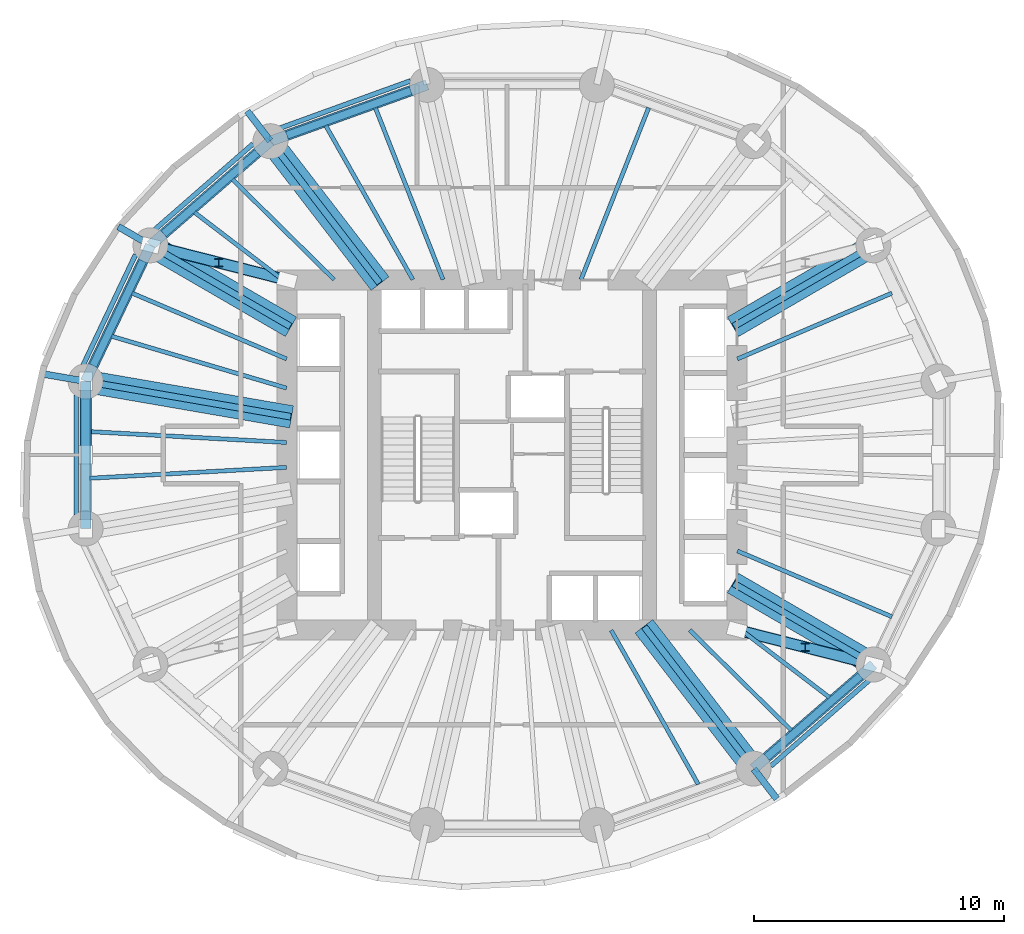
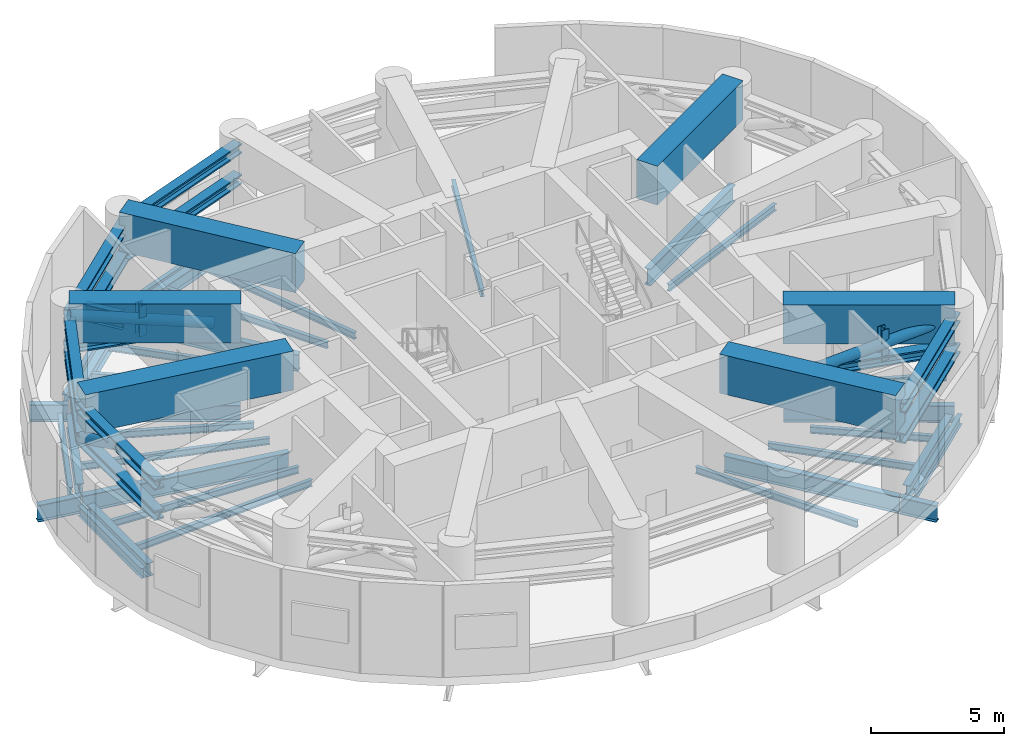
# One storey, part 2 of 8: 40 beams, 17 members.
"""IFC4 building model written with IfcOpenShell, lengths in metres."""

from ifc_helpers import new_model, si_unit, direction, frame, origin, origin_2d, place, context, subcontext, project, spatial, rectangle, hollow_circle, i_section, extrude, material, material_profile, profile_set, type_object, element, save


model = new_model("IFC4")

# Units and contexts
model_context = context("Model", 3, precision=1e-05, world=origin(), true_north=direction((0.0, 1.0)))
body_context = subcontext(model_context, "Body", "Model", "MODEL_VIEW")
ifc_project = project(units=[si_unit("LENGTHUNIT", "METRE"), si_unit("AREAUNIT", "SQUARE_METRE"), si_unit("VOLUMEUNIT", "CUBIC_METRE"), si_unit("PLANEANGLEUNIT", "RADIAN"), si_unit("MASSUNIT", "GRAM", prefix="KILO")], contexts=[model_context])

# Site, building, storey
site_placement = place(None, origin())
site = spatial("IfcSite", under=ifc_project, at=site_placement, CompositionType="ELEMENT")
building_placement = place(site_placement, origin())
building = spatial("IfcBuilding", under=site, at=building_placement, Name="Veldorim Arch Residences", CompositionType="ELEMENT")
storey_placement = place(building_placement, frame((0.0, 0.0, 66.39990234375)))
storey = spatial("IfcBuildingStorey", under=building, at=storey_placement, Name="L19", CompositionType="ELEMENT", Elevation=66.39990234375)

# Members
ifc_material_1 = material(Name="Steel S460", Category="steel")
ifc_material_profile_1 = material_profile(ifc_material_1, hollow_circle(Radius=0.228515625, WallThickness=0.030029296875, at=origin_2d()), Name="CHS457x30")
ifc_profile_set_1 = profile_set([ifc_material_profile_1], Name="Steel S460")
member_type_1 = type_object("IfcMemberType", Name="Crown Diagrid CHS457x30", PredefinedType="BRACE", material=ifc_profile_set_1)
member_placement = place(storey_placement, frame((14.934326171875, 26.94580078125, 2.239990234375), z_axis=(0.0, -0.900784326413, 0.434266735185), x_axis=(1.0, 0.0, 0.0)))
element("IfcMember", 1, at=member_placement, inside=storey, type_object=member_type_1, Name="L19 belt truss chevron brace 08A", PredefinedType="BRACE", context=body_context, shape_type="SweptSolid", body=[
    extrude(hollow_circle(Radius=0.228515625, WallThickness=0.030029296875, at=origin_2d()), origin(), (0.0, 0.0, 1.0), 3.270263671875),
])
for number, where, z_axis, x_axis, name in (
    (2, (41.0, 17.0, 2.239990234375), (0.939880508049, -0.238799736138, 0.244129712673), (0.246250643777, 0.969206180562, 0.0), "L19 outrigger truss diagonal 01"),
    (3, (23.0, 31.0, 2.239990234375), (-0.939880508049, 0.238799736138, 0.244129712673), (-0.246250643777, -0.969206180562, 0.0), "L19 outrigger truss diagonal 03"),
):
    element("IfcMember", number, at=place(storey_placement, frame(where, z_axis=z_axis, x_axis=x_axis)), inside=storey, type_object=member_type_1, Name=name, PredefinedType="BRACE", context=body_context, shape_type="SweptSolid", body=[
        extrude(hollow_circle(Radius=0.228515625, WallThickness=0.030029296875, at=origin_2d()), origin(), (0.0, 0.0, 1.0), 5.817138671875),
    ])

# Beams
ifc_material_2 = material(Name="Concrete C50/60", Category="concrete")
ifc_material_profile_2 = material_profile(ifc_material_2, rectangle(XDim=0.89990234375, YDim=1.800048828125, at=origin_2d()), Name="RC_RECT_900x1800")
ifc_profile_set_2 = profile_set([ifc_material_profile_2], Name="Concrete C50/60")
beam_type_1 = type_object("IfcBeamType", Name="Reinforced Concrete TRANSFER GIRDER RC_RECT_900x1800", PredefinedType="USERDEFINED", material=ifc_profile_set_2)
beam_1_placement = place(storey_placement, frame((40.84423828125, 29.12841796875, 3.580078125), z_axis=(0.865082368042, 0.501629840124, 0.0), x_axis=(-0.501629840124, 0.865082368042, 0.0)))
element("IfcBeam", 4, at=beam_1_placement, inside=storey, type_object=beam_type_1, Name="L19 zone-setback radial transfer girder 02", ObjectType="TRANSFER GIRDER", PredefinedType="USERDEFINED", context=body_context, shape_type="SweptSolid", body=[
    extrude(rectangle(XDim=0.89990234375, YDim=1.800048828125, at=origin_2d()), origin(), (0.0, 0.0, 1.0), 6.500244140625),
])
beam_2_placement = place(storey_placement, frame((26.72021484375, 30.857421875, 3.580078125), z_axis=(-0.610088058259, 0.792333617342, 0.0), x_axis=(-0.792333617342, -0.610088058259, 0.0)))
element("IfcBeam", 5, at=beam_2_placement, inside=storey, type_object=beam_type_1, Name="L19 zone-setback radial transfer girder 06", ObjectType="TRANSFER GIRDER", PredefinedType="USERDEFINED", context=body_context, shape_type="SweptSolid", body=[
    extrude(rectangle(XDim=0.89990234375, YDim=1.800048828125, at=origin_2d()), origin(), (0.0, 0.0, 1.0), 7.191162109375),
])
beam_3_placement = place(storey_placement, frame((23.15576171875, 29.12841796875, 3.580078125), z_axis=(-0.865082368042, 0.501629840124, 0.0), x_axis=(-0.501629840124, -0.865082368042, 0.0)))
element("IfcBeam", 6, at=beam_3_placement, inside=storey, type_object=beam_type_1, Name="L19 zone-setback radial transfer girder 07", ObjectType="TRANSFER GIRDER", PredefinedType="USERDEFINED", context=body_context, shape_type="SweptSolid", body=[
    extrude(rectangle(XDim=0.89990234375, YDim=1.800048828125, at=origin_2d()), origin(), (0.0, 0.0, 1.0), 6.500244140625),
])
beam_4_placement = place(storey_placement, frame((23.177490234375, 25.52294921875, 3.580078125), z_axis=(-0.985427744157, 0.170094565009, 0.0), x_axis=(-0.170094565009, -0.985427744157, 0.0)))
element("IfcBeam", 7, at=beam_4_placement, inside=storey, type_object=beam_type_1, Name="L19 zone-setback radial transfer girder 08", ObjectType="TRANSFER GIRDER", PredefinedType="USERDEFINED", context=body_context, shape_type="SweptSolid", body=[
    extrude(rectangle(XDim=0.89990234375, YDim=1.800048828125, at=origin_2d()), origin(), (0.0, 0.0, 1.0), 8.364990234375),
])
beam_5_placement = place(storey_placement, frame((37.27978515625, 17.142578125, 3.580078125), z_axis=(0.610088058259, -0.792333617342, 0.0), x_axis=(0.792333617342, 0.610088058259, 0.0)))
element("IfcBeam", 8, at=beam_5_placement, inside=storey, type_object=beam_type_1, Name="L19 zone-setback radial transfer girder 14", ObjectType="TRANSFER GIRDER", PredefinedType="USERDEFINED", context=body_context, shape_type="SweptSolid", body=[
    extrude(rectangle(XDim=0.89990234375, YDim=1.800048828125, at=origin_2d()), origin(), (0.0, 0.0, 1.0), 7.191162109375),
])
beam_6_placement = place(storey_placement, frame((40.84423828125, 18.87158203125, 3.580078125), z_axis=(0.865082368042, -0.501629840124, 0.0), x_axis=(0.501629840124, 0.865082368042, 0.0)))
element("IfcBeam", 9, at=beam_6_placement, inside=storey, type_object=beam_type_1, Name="L19 zone-setback radial transfer girder 15", ObjectType="TRANSFER GIRDER", PredefinedType="USERDEFINED", context=body_context, shape_type="SweptSolid", body=[
    extrude(rectangle(XDim=0.89990234375, YDim=1.800048828125, at=origin_2d()), origin(), (0.0, 0.0, 1.0), 6.500244140625),
])
ifc_material_3 = material(Name="Steel S355", Category="steel")
ifc_material_profile_3 = material_profile(ifc_material_3, i_section(OverallWidth=0.30712890625, OverallDepth=0.6201171875, WebThickness=0.01416015625, FlangeThickness=0.023681640625, at=origin_2d()), Name="UB610x305x179")
ifc_profile_set_3 = profile_set([ifc_material_profile_3], Name="Steel S355")
beam_type_2 = type_object("IfcBeamType", Name="Structural Steel Beam UB610x305x179", PredefinedType="BEAM", material=ifc_profile_set_3)
beam_7_placement = place(storey_placement, frame((27.94677734375, 38.572998046875, -0.7099609375), z_axis=(-0.941058113369, -0.338244922006, 0.0), x_axis=(0.338244922006, -0.941058113369, 0.0)))
element("IfcBeam", 10, at=beam_7_placement, inside=storey, type_object=beam_type_2, Name="L19 perimeter ring tie beam 05", PredefinedType="BEAM", context=body_context, shape_type="SweptSolid", body=[
    extrude(i_section(OverallWidth=0.30712890625, OverallDepth=0.6201171875, WebThickness=0.01416015625, FlangeThickness=0.023681640625, at=origin_2d()), origin(), (0.0, 0.0, 1.0), 5.265380859375),
])
beam_8_placement = place(storey_placement, frame((21.804443359375, 36.096435546875, -0.7099609375), z_axis=(-0.755264734985, -0.655419850239, 0.0), x_axis=(0.655419850239, -0.755264734985, 0.0)))
element("IfcBeam", 11, at=beam_8_placement, inside=storey, type_object=beam_type_2, Name="L19 perimeter ring tie beam 06", PredefinedType="BEAM", context=body_context, shape_type="SweptSolid", body=[
    extrude(i_section(OverallWidth=0.30712890625, OverallDepth=0.6201171875, WebThickness=0.01416015625, FlangeThickness=0.023681640625, at=origin_2d()), origin(), (0.0, 0.0, 1.0), 4.956298828125),
])
beam_9_placement = place(storey_placement, frame((17.23095703125, 31.75732421875, -0.7099609375), z_axis=(-0.430776422552, -0.902458682585, 0.0), x_axis=(0.902458682585, -0.430776422552, 0.0)))
element("IfcBeam", 12, at=beam_9_placement, inside=storey, type_object=beam_type_2, Name="L19 perimeter ring tie beam 07", PredefinedType="BEAM", context=body_context, shape_type="SweptSolid", body=[
    extrude(i_section(OverallWidth=0.30712890625, OverallDepth=0.6201171875, WebThickness=0.01416015625, FlangeThickness=0.023681640625, at=origin_2d()), origin(), (0.0, 0.0, 1.0), 4.63134765625),
])
beam_10_placement = place(storey_placement, frame((14.934326171875, 26.245849609375, -0.7099609375), z_axis=(0.0, -1.0, 0.0), x_axis=(1.0, 0.0, 0.0)))
element("IfcBeam", 13, at=beam_10_placement, inside=storey, type_object=beam_type_2, Name="L19 perimeter ring tie beam 08", PredefinedType="BEAM", context=body_context, shape_type="SweptSolid", body=[
    extrude(i_section(OverallWidth=0.30712890625, OverallDepth=0.6201171875, WebThickness=0.01416015625, FlangeThickness=0.023681640625, at=origin_2d()), origin(), (0.0, 0.0, 1.0), 4.49169921875),
])
beam_11_placement = place(storey_placement, frame((42.195556640625, 11.903564453125, -0.7099609375), z_axis=(0.755264734985, 0.655419850239, 0.0), x_axis=(-0.655419850239, 0.755264734985, 0.0)))
element("IfcBeam", 14, at=beam_11_placement, inside=storey, type_object=beam_type_2, Name="L19 perimeter ring tie beam 14", PredefinedType="BEAM", context=body_context, shape_type="SweptSolid", body=[
    extrude(i_section(OverallWidth=0.30712890625, OverallDepth=0.6201171875, WebThickness=0.01416015625, FlangeThickness=0.023681640625, at=origin_2d()), origin(), (0.0, 0.0, 1.0), 4.956298828125),
])
ifc_material_4 = material(Name="Steel S355", Category="steel")
ifc_material_profile_4 = material_profile(ifc_material_4, i_section(OverallWidth=0.26806640625, OverallDepth=0.769775390625, WebThickness=0.015625, FlangeThickness=0.025390625, at=origin_2d()), Name="UB762x267x197")
ifc_profile_set_4 = profile_set([ifc_material_profile_4], Name="Steel S355")
beam_type_3 = type_object("IfcBeamType", Name="Structural Steel GIRDER UB762x267x197", PredefinedType="USERDEFINED", material=ifc_profile_set_4)
beam_12_placement = place(storey_placement, frame((40.8701171875, 29.1435546875, -0.784912109375), z_axis=(0.865088348752, 0.501619525989, 0.0), x_axis=(-0.501619525989, 0.865088348752, 0.0)))
element("IfcBeam", 15, at=beam_12_placement, inside=storey, type_object=beam_type_3, Name="L19 radial floor girder 02", ObjectType="GIRDER", PredefinedType="USERDEFINED", context=body_context, shape_type="SweptSolid", body=[
    extrude(i_section(OverallWidth=0.26806640625, OverallDepth=0.769775390625, WebThickness=0.015625, FlangeThickness=0.025390625, at=origin_2d()), origin(), (0.0, 0.0, 1.0), 6.4501953125),
])
beam_13_placement = place(storey_placement, frame((26.701904296875, 30.881103515625, -0.784912109375), z_axis=(-0.610082439157, 0.792337943956, 0.0), x_axis=(-0.792337943956, -0.610082439157, 0.0)))
element("IfcBeam", 16, at=beam_13_placement, inside=storey, type_object=beam_type_3, Name="L19 radial floor girder 06", ObjectType="GIRDER", PredefinedType="USERDEFINED", context=body_context, shape_type="SweptSolid", body=[
    extrude(i_section(OverallWidth=0.26806640625, OverallDepth=0.769775390625, WebThickness=0.015625, FlangeThickness=0.025390625, at=origin_2d()), origin(), (0.0, 0.0, 1.0), 7.14111328125),
])
beam_14_placement = place(storey_placement, frame((22.32080078125, 36.571044921875, -0.784912109375), z_axis=(-0.610024337909, 0.79238267722, 0.0), x_axis=(-0.79238267722, -0.610024337909, 0.0)))
element("IfcBeam", 17, at=beam_14_placement, inside=storey, type_object=beam_type_3, Name="L19 radial edge cantilever girder 06", ObjectType="GIRDER", PredefinedType="USERDEFINED", context=body_context, shape_type="SweptSolid", body=[
    extrude(i_section(OverallWidth=0.26806640625, OverallDepth=0.769775390625, WebThickness=0.015625, FlangeThickness=0.025390625, at=origin_2d()), origin(), (0.0, 0.0, 1.0), 1.5048828125),
])
beam_15_placement = place(storey_placement, frame((23.1298828125, 29.1435546875, -0.784912109375), z_axis=(-0.865088348752, 0.501619525989, 0.0), x_axis=(-0.501619525989, -0.865088348752, 0.0)))
element("IfcBeam", 18, at=beam_15_placement, inside=storey, type_object=beam_type_3, Name="L19 radial floor girder 07", ObjectType="GIRDER", PredefinedType="USERDEFINED", context=body_context, shape_type="SweptSolid", body=[
    extrude(i_section(OverallWidth=0.26806640625, OverallDepth=0.769775390625, WebThickness=0.015625, FlangeThickness=0.025390625, at=origin_2d()), origin(), (0.0, 0.0, 1.0), 6.4501953125),
])
beam_16_placement = place(storey_placement, frame((17.51513671875, 32.399169921875, -0.784912109375), z_axis=(-0.865077323252, 0.501638539981, 0.0), x_axis=(-0.501638539981, -0.865077323252, 0.0)))
element("IfcBeam", 19, at=beam_16_placement, inside=storey, type_object=beam_type_3, Name="L19 radial edge cantilever girder 07", ObjectType="GIRDER", PredefinedType="USERDEFINED", context=body_context, shape_type="SweptSolid", body=[
    extrude(i_section(OverallWidth=0.26806640625, OverallDepth=0.769775390625, WebThickness=0.015625, FlangeThickness=0.025390625, at=origin_2d()), origin(), (0.0, 0.0, 1.0), 1.4697265625),
])
beam_17_placement = place(storey_placement, frame((23.147705078125, 25.528076171875, -0.784912109375), z_axis=(-0.985427548249, 0.170095699979, 0.0), x_axis=(-0.170095699979, -0.985427548249, 0.0)))
element("IfcBeam", 20, at=beam_17_placement, inside=storey, type_object=beam_type_3, Name="L19 radial floor girder 08", ObjectType="GIRDER", PredefinedType="USERDEFINED", context=body_context, shape_type="SweptSolid", body=[
    extrude(i_section(OverallWidth=0.26806640625, OverallDepth=0.769775390625, WebThickness=0.015625, FlangeThickness=0.025390625, at=origin_2d()), origin(), (0.0, 0.0, 1.0), 8.314697265625),
])
beam_18_placement = place(storey_placement, frame((14.91455078125, 26.94921875, -0.784912109375), z_axis=(-0.985430392323, 0.170079222384, 0.0), x_axis=(-0.170079222384, -0.985430392323, 0.0)))
element("IfcBeam", 21, at=beam_18_placement, inside=storey, type_object=beam_type_3, Name="L19 radial edge cantilever girder 08", ObjectType="GIRDER", PredefinedType="USERDEFINED", context=body_context, shape_type="SweptSolid", body=[
    extrude(i_section(OverallWidth=0.26806640625, OverallDepth=0.769775390625, WebThickness=0.015625, FlangeThickness=0.025390625, at=origin_2d()), origin(), (0.0, 0.0, 1.0), 1.755615234375),
])
beam_19_placement = place(storey_placement, frame((37.298095703125, 17.118896484375, -0.784912109375), z_axis=(0.610082439157, -0.792337943956, 0.0), x_axis=(0.792337943956, 0.610082439157, 0.0)))
element("IfcBeam", 22, at=beam_19_placement, inside=storey, type_object=beam_type_3, Name="L19 radial floor girder 14", ObjectType="GIRDER", PredefinedType="USERDEFINED", context=body_context, shape_type="SweptSolid", body=[
    extrude(i_section(OverallWidth=0.26806640625, OverallDepth=0.769775390625, WebThickness=0.015625, FlangeThickness=0.025390625, at=origin_2d()), origin(), (0.0, 0.0, 1.0), 7.14111328125),
])
beam_20_placement = place(storey_placement, frame((41.67919921875, 11.428955078125, -0.784912109375), z_axis=(0.610024337909, -0.79238267722, 0.0), x_axis=(0.79238267722, 0.610024337909, 0.0)))
element("IfcBeam", 23, at=beam_20_placement, inside=storey, type_object=beam_type_3, Name="L19 radial edge cantilever girder 14", ObjectType="GIRDER", PredefinedType="USERDEFINED", context=body_context, shape_type="SweptSolid", body=[
    extrude(i_section(OverallWidth=0.26806640625, OverallDepth=0.769775390625, WebThickness=0.015625, FlangeThickness=0.025390625, at=origin_2d()), origin(), (0.0, 0.0, 1.0), 1.5048828125),
])
beam_21_placement = place(storey_placement, frame((40.8701171875, 18.8564453125, -0.784912109375), z_axis=(0.865088348752, -0.501619525989, 0.0), x_axis=(0.501619525989, 0.865088348752, 0.0)))
element("IfcBeam", 24, at=beam_21_placement, inside=storey, type_object=beam_type_3, Name="L19 radial floor girder 15", ObjectType="GIRDER", PredefinedType="USERDEFINED", context=body_context, shape_type="SweptSolid", body=[
    extrude(i_section(OverallWidth=0.26806640625, OverallDepth=0.769775390625, WebThickness=0.015625, FlangeThickness=0.025390625, at=origin_2d()), origin(), (0.0, 0.0, 1.0), 6.4501953125),
])
ifc_material_5 = material(Name="Steel S355", Category="steel")
ifc_material_profile_5 = material_profile(ifc_material_5, i_section(OverallWidth=0.165771484375, OverallDepth=0.306640625, WebThickness=0.006591796875, FlangeThickness=0.01171875, at=origin_2d()), Name="UB305x165x46")
ifc_profile_set_5 = profile_set([ifc_material_profile_5], Name="Steel S355")
beam_type_4 = type_object("IfcBeamType", Name="Structural Steel Joist UB305x165x46", PredefinedType="JOIST", material=ifc_profile_set_5)
beam_22_placement = place(storey_placement, frame((41.018310546875, 27.84130859375, -0.55322265625), z_axis=(0.920032948668, 0.391841005213, 0.0), x_axis=(-0.391841005213, 0.920032948668, 0.0)))
element("IfcBeam", 25, at=beam_22_placement, inside=storey, type_object=beam_type_4, Name="L19 secondary radial floor joist 01-2", PredefinedType="JOIST", context=body_context, shape_type="SweptSolid", body=[
    extrude(i_section(OverallWidth=0.165771484375, OverallDepth=0.306640625, WebThickness=0.006591796875, FlangeThickness=0.01171875, at=origin_2d()), origin(), (0.0, 0.0, 1.0), 6.723388671875),
])
for number, where, z_axis, x_axis, name in (
    (26, (34.762451171875, 31.0185546875, -0.55322265625), (0.366229833858, 0.930524426758, 0.0), (-0.930524426758, 0.366229833858, 0.0), "L19 secondary radial floor joist 03-2"),
    (27, (29.237548828125, 31.0185546875, -0.55322265625), (-0.366229833858, 0.930524426758, 0.0), (-0.930524426758, -0.366229833858, 0.0), "L19 secondary radial floor joist 05-1"),
):
    element("IfcBeam", number, at=place(storey_placement, frame(where, z_axis=z_axis, x_axis=x_axis)), inside=storey, type_object=beam_type_4, Name=name, PredefinedType="JOIST", context=body_context, shape_type="SweptSolid", body=[
        extrude(i_section(OverallWidth=0.165771484375, OverallDepth=0.306640625, WebThickness=0.006591796875, FlangeThickness=0.01171875, at=origin_2d()), origin(), (0.0, 0.0, 1.0), 7.3896484375),
    ])
beam_23_placement = place(storey_placement, frame((28.03125, 31.017333984375, -0.55322265625), z_axis=(-0.492292335352, 0.870429926274, 0.0), x_axis=(-0.870429926274, -0.492292335352, 0.0)))
element("IfcBeam", 28, at=beam_23_placement, inside=storey, type_object=beam_type_4, Name="L19 secondary radial floor joist 05-2", PredefinedType="JOIST", context=body_context, shape_type="SweptSolid", body=[
    extrude(i_section(OverallWidth=0.165771484375, OverallDepth=0.306640625, WebThickness=0.006591796875, FlangeThickness=0.01171875, at=origin_2d()), origin(), (0.0, 0.0, 1.0), 7.083251953125),
])
beam_24_placement = place(storey_placement, frame((24.885009765625, 31.013916015625, -0.55322265625), z_axis=(-0.712129078446, 0.702048556463, 0.0), x_axis=(-0.702048556463, -0.712129078446, 0.0)))
element("IfcBeam", 29, at=beam_24_placement, inside=storey, type_object=beam_type_4, Name="L19 secondary radial floor joist 06-1", PredefinedType="JOIST", context=body_context, shape_type="SweptSolid", body=[
    extrude(i_section(OverallWidth=0.165771484375, OverallDepth=0.306640625, WebThickness=0.006591796875, FlangeThickness=0.01171875, at=origin_2d()), origin(), (0.0, 0.0, 1.0), 5.715576171875),
])
beam_25_placement = place(storey_placement, frame((22.984130859375, 30.8876953125, -0.55322265625), z_axis=(-0.794666431166, 0.607046343517, 0.0), x_axis=(-0.607046343517, -0.794666431166, 0.0)))
element("IfcBeam", 30, at=beam_25_placement, inside=storey, type_object=beam_type_4, Name="L19 secondary radial floor joist 06-2", PredefinedType="JOIST", context=body_context, shape_type="SweptSolid", body=[
    extrude(i_section(OverallWidth=0.165771484375, OverallDepth=0.306640625, WebThickness=0.006591796875, FlangeThickness=0.01171875, at=origin_2d()), origin(), (0.0, 0.0, 1.0), 4.646728515625),
])
beam_26_placement = place(storey_placement, frame((22.981689453125, 27.84130859375, -0.55322265625), z_axis=(-0.920032948668, 0.391841005213, 0.0), x_axis=(-0.391841005213, -0.920032948668, 0.0)))
element("IfcBeam", 31, at=beam_26_placement, inside=storey, type_object=beam_type_4, Name="L19 secondary radial floor joist 07-1", PredefinedType="JOIST", context=body_context, shape_type="SweptSolid", body=[
    extrude(i_section(OverallWidth=0.165771484375, OverallDepth=0.306640625, WebThickness=0.006591796875, FlangeThickness=0.01171875, at=origin_2d()), origin(), (0.0, 0.0, 1.0), 6.723388671875),
])
beam_27_placement = place(storey_placement, frame((22.980712890625, 26.67333984375, -0.55322265625), z_axis=(-0.958766778771, 0.284194060325, 0.0), x_axis=(-0.284194060325, -0.958766778771, 0.0)))
element("IfcBeam", 32, at=beam_27_placement, inside=storey, type_object=beam_type_4, Name="L19 secondary radial floor joist 07-2", PredefinedType="JOIST", context=body_context, shape_type="SweptSolid", body=[
    extrude(i_section(OverallWidth=0.165771484375, OverallDepth=0.306640625, WebThickness=0.006591796875, FlangeThickness=0.01171875, at=origin_2d()), origin(), (0.0, 0.0, 1.0), 7.3115234375),
])
for number, where, z_axis, x_axis, name in (
    (33, (22.97998046875, 24.498291015625, -0.55322265625), (-0.998478371109, 0.055144740699, 0.0), (-0.055144740699, -0.998478371109, 0.0), "L19 secondary radial floor joist 08-1"),
    (34, (22.97998046875, 23.501708984375, -0.55322265625), (-0.998478371109, -0.055144740699, 0.0), (0.055144740699, -0.998478371109, 0.0), "L19 secondary radial floor joist 08-2"),
):
    element("IfcBeam", number, at=place(storey_placement, frame(where, z_axis=z_axis, x_axis=x_axis)), inside=storey, type_object=beam_type_4, Name=name, PredefinedType="JOIST", context=body_context, shape_type="SweptSolid", body=[
        extrude(i_section(OverallWidth=0.165771484375, OverallDepth=0.306640625, WebThickness=0.006591796875, FlangeThickness=0.01171875, at=origin_2d()), origin(), (0.0, 0.0, 1.0), 7.898193359375),
    ])
beam_28_placement = place(storey_placement, frame((35.96875, 16.982666015625, -0.55322265625), z_axis=(0.492292335352, -0.870429926274, 0.0), x_axis=(0.870429926274, 0.492292335352, 0.0)))
element("IfcBeam", 35, at=beam_28_placement, inside=storey, type_object=beam_type_4, Name="L19 secondary radial floor joist 13-2", PredefinedType="JOIST", context=body_context, shape_type="SweptSolid", body=[
    extrude(i_section(OverallWidth=0.165771484375, OverallDepth=0.306640625, WebThickness=0.006591796875, FlangeThickness=0.01171875, at=origin_2d()), origin(), (0.0, 0.0, 1.0), 7.083251953125),
])
beam_29_placement = place(storey_placement, frame((39.114990234375, 16.986083984375, -0.55322265625), z_axis=(0.712129078446, -0.702048556463, 0.0), x_axis=(0.702048556463, 0.712129078446, 0.0)))
element("IfcBeam", 36, at=beam_29_placement, inside=storey, type_object=beam_type_4, Name="L19 secondary radial floor joist 14-1", PredefinedType="JOIST", context=body_context, shape_type="SweptSolid", body=[
    extrude(i_section(OverallWidth=0.165771484375, OverallDepth=0.306640625, WebThickness=0.006591796875, FlangeThickness=0.01171875, at=origin_2d()), origin(), (0.0, 0.0, 1.0), 5.715576171875),
])
beam_30_placement = place(storey_placement, frame((41.015869140625, 17.1123046875, -0.55322265625), z_axis=(0.794666431166, -0.607046343517, 0.0), x_axis=(0.607046343517, 0.794666431166, 0.0)))
element("IfcBeam", 37, at=beam_30_placement, inside=storey, type_object=beam_type_4, Name="L19 secondary radial floor joist 14-2", PredefinedType="JOIST", context=body_context, shape_type="SweptSolid", body=[
    extrude(i_section(OverallWidth=0.165771484375, OverallDepth=0.306640625, WebThickness=0.006591796875, FlangeThickness=0.01171875, at=origin_2d()), origin(), (0.0, 0.0, 1.0), 4.646728515625),
])
beam_31_placement = place(storey_placement, frame((41.018310546875, 20.15869140625, -0.55322265625), z_axis=(0.920032948668, -0.391841005213, 0.0), x_axis=(0.391841005213, 0.920032948668, 0.0)))
element("IfcBeam", 38, at=beam_31_placement, inside=storey, type_object=beam_type_4, Name="L19 secondary radial floor joist 15-1", PredefinedType="JOIST", context=body_context, shape_type="SweptSolid", body=[
    extrude(i_section(OverallWidth=0.165771484375, OverallDepth=0.306640625, WebThickness=0.006591796875, FlangeThickness=0.01171875, at=origin_2d()), origin(), (0.0, 0.0, 1.0), 6.723388671875),
])
ifc_material_6 = material(Name="Steel S355", Category="steel")
ifc_material_profile_6 = material_profile(ifc_material_6, i_section(OverallWidth=0.19140625, OverallDepth=0.4599609375, WebThickness=0.010009765625, FlangeThickness=0.01611328125, at=origin_2d()), Name="UB457x191x82")
ifc_profile_set_6 = profile_set([ifc_material_profile_6], Name="Steel S355")
beam_type_5 = type_object("IfcBeamType", Name="Structural Steel Spandrel UB457x191x82", PredefinedType="SPANDREL", material=ifc_profile_set_6)
beam_32_placement = place(storey_placement, frame((27.94140625, 38.970703125, -0.64990234375), z_axis=(-0.940268980555, -0.340432437064, 0.0), x_axis=(0.340432437064, -0.940268980555, 0.0)))
element("IfcBeam", 39, at=beam_32_placement, inside=storey, type_object=beam_type_5, Name="L19 perimeter chord spandrel beam 05", PredefinedType="SPANDREL", context=body_context, shape_type="SweptSolid", body=[
    extrude(i_section(OverallWidth=0.19140625, OverallDepth=0.4599609375, WebThickness=0.010009765625, FlangeThickness=0.01611328125, at=origin_2d()), origin(), (0.0, 0.0, 1.0), 5.59521484375),
])
beam_33_placement = place(storey_placement, frame((21.63720703125, 36.451171875, -0.64990234375), z_axis=(-0.75323350982, -0.657753205758, 0.0), x_axis=(0.657753205758, -0.75323350982, 0.0)))
element("IfcBeam", 40, at=beam_33_placement, inside=storey, type_object=beam_type_5, Name="L19 perimeter chord spandrel beam 06", PredefinedType="SPANDREL", context=body_context, shape_type="SweptSolid", body=[
    extrude(i_section(OverallWidth=0.19140625, OverallDepth=0.4599609375, WebThickness=0.010009765625, FlangeThickness=0.01611328125, at=origin_2d()), origin(), (0.0, 0.0, 1.0), 5.27001953125),
])
beam_34_placement = place(storey_placement, frame((16.939453125, 32.023193359375, -0.64990234375), z_axis=(-0.428847831425, -0.903376741721, 0.0), x_axis=(0.903376741721, -0.428847831425, 0.0)))
element("IfcBeam", 41, at=beam_34_placement, inside=storey, type_object=beam_type_5, Name="L19 perimeter chord spandrel beam 07", PredefinedType="SPANDREL", context=body_context, shape_type="SweptSolid", body=[
    extrude(i_section(OverallWidth=0.19140625, OverallDepth=0.4599609375, WebThickness=0.010009765625, FlangeThickness=0.01611328125, at=origin_2d()), origin(), (0.0, 0.0, 1.0), 4.932861328125),
])
beam_35_placement = place(storey_placement, frame((14.559814453125, 26.39453125, -0.64990234375), z_axis=(0.0, -1.0, 0.0), x_axis=(1.0, 0.0, 0.0)))
element("IfcBeam", 42, at=beam_35_placement, inside=storey, type_object=beam_type_5, Name="L19 perimeter chord spandrel beam 08", PredefinedType="SPANDREL", context=body_context, shape_type="SweptSolid", body=[
    extrude(i_section(OverallWidth=0.19140625, OverallDepth=0.4599609375, WebThickness=0.010009765625, FlangeThickness=0.01611328125, at=origin_2d()), origin(), (0.0, 0.0, 1.0), 4.7890625),
])
beam_36_placement = place(storey_placement, frame((42.36279296875, 11.548828125, -0.64990234375), z_axis=(0.75323350982, 0.657753205758, 0.0), x_axis=(-0.657753205758, 0.75323350982, 0.0)))
element("IfcBeam", 43, at=beam_36_placement, inside=storey, type_object=beam_type_5, Name="L19 perimeter chord spandrel beam 14", PredefinedType="SPANDREL", context=body_context, shape_type="SweptSolid", body=[
    extrude(i_section(OverallWidth=0.19140625, OverallDepth=0.4599609375, WebThickness=0.010009765625, FlangeThickness=0.01611328125, at=origin_2d()), origin(), (0.0, 0.0, 1.0), 5.27001953125),
])

# Members
ifc_material_7 = material(Name="Steel S460", Category="steel")
ifc_material_profile_7 = material_profile(ifc_material_7, i_section(OverallWidth=0.41845703125, OverallDepth=0.45556640625, WebThickness=0.0419921875, FlangeThickness=0.0673828125, at=origin_2d()), Name="UC356x406x551")
ifc_profile_set_7 = profile_set([ifc_material_profile_7], Name="Steel S460")
member_type_2 = type_object("IfcMemberType", Name="Truss Chord UC356x406x551", PredefinedType="CHORD", material=ifc_profile_set_7)
for number, where, z_axis, x_axis, name in (
    (44, (28.60546875, 38.809814453125, 2.239990234375), (-0.941052127441, -0.338261575468, 0.0), (0.338261575468, -0.941052127441, 0.0), "L19 belt truss bottom chord 05"),
    (45, (28.60546875, 38.809814453125, 3.66015625), (-0.941052127441, -0.338261575468, 0.0), (0.338261575468, -0.941052127441, 0.0), "L19 belt truss top chord 05"),
):
    element("IfcMember", number, at=place(storey_placement, frame(where, z_axis=z_axis, x_axis=x_axis)), inside=storey, type_object=member_type_2, Name=name, PredefinedType="CHORD", context=body_context, shape_type="SweptSolid", body=[
        extrude(i_section(OverallWidth=0.41845703125, OverallDepth=0.45556640625, WebThickness=0.0419921875, FlangeThickness=0.0673828125, at=origin_2d()), origin(), (0.0, 0.0, 1.0), 6.665283203125),
    ])
for number, where, z_axis, x_axis, name in (
    (46, (22.3330078125, 36.55517578125, 2.239990234375), (-0.755256756497, -0.655429044035, 0.0), (0.655429044035, -0.755256756497, 0.0), "L19 belt truss bottom chord 06"),
    (47, (22.3330078125, 36.55517578125, 3.66015625), (-0.755256756497, -0.655429044035, 0.0), (0.655429044035, -0.755256756497, 0.0), "L19 belt truss top chord 06"),
):
    element("IfcMember", number, at=place(storey_placement, frame(where, z_axis=z_axis, x_axis=x_axis)), inside=storey, type_object=member_type_2, Name=name, PredefinedType="CHORD", context=body_context, shape_type="SweptSolid", body=[
        extrude(i_section(OverallWidth=0.41845703125, OverallDepth=0.45556640625, WebThickness=0.0419921875, FlangeThickness=0.0673828125, at=origin_2d()), origin(), (0.0, 0.0, 1.0), 6.356201171875),
    ])
for number, where, z_axis, x_axis, name in (
    (48, (17.532470703125, 32.38916015625, 2.239990234375), (-0.430753562194, -0.902469594312, 0.0), (0.902469594312, -0.430753562194, 0.0), "L19 belt truss bottom chord 07"),
    (49, (17.532470703125, 32.38916015625, 3.66015625), (-0.430753562194, -0.902469594312, 0.0), (0.902469594312, -0.430753562194, 0.0), "L19 belt truss top chord 07"),
):
    element("IfcMember", number, at=place(storey_placement, frame(where, z_axis=z_axis, x_axis=x_axis)), inside=storey, type_object=member_type_2, Name=name, PredefinedType="CHORD", context=body_context, shape_type="SweptSolid", body=[
        extrude(i_section(OverallWidth=0.41845703125, OverallDepth=0.45556640625, WebThickness=0.0419921875, FlangeThickness=0.0673828125, at=origin_2d()), origin(), (0.0, 0.0, 1.0), 6.03173828125),
    ])
for number, where, z_axis, x_axis, name in (
    (50, (14.934326171875, 26.94580078125, 2.239990234375), (0.0, -1.0, 0.0), (1.0, 0.0, 0.0), "L19 belt truss bottom chord 08"),
    (51, (14.934326171875, 26.94580078125, 3.66015625), (0.0, -1.0, 0.0), (1.0, 0.0, 0.0), "L19 belt truss top chord 08"),
):
    element("IfcMember", number, at=place(storey_placement, frame(where, z_axis=z_axis, x_axis=x_axis)), inside=storey, type_object=member_type_2, Name=name, PredefinedType="CHORD", context=body_context, shape_type="SweptSolid", body=[
        extrude(i_section(OverallWidth=0.41845703125, OverallDepth=0.45556640625, WebThickness=0.0419921875, FlangeThickness=0.0673828125, at=origin_2d()), origin(), (0.0, 0.0, 1.0), 5.8916015625),
    ])
for number, where, z_axis, x_axis, name in (
    (52, (41.6669921875, 11.44482421875, 2.239990234375), (0.755256756497, 0.655429044035, 0.0), (-0.655429044035, 0.755256756497, 0.0), "L19 belt truss bottom chord 14"),
    (53, (41.6669921875, 11.44482421875, 3.66015625), (0.755256756497, 0.655429044035, 0.0), (-0.655429044035, 0.755256756497, 0.0), "L19 belt truss top chord 14"),
):
    element("IfcMember", number, at=place(storey_placement, frame(where, z_axis=z_axis, x_axis=x_axis)), inside=storey, type_object=member_type_2, Name=name, PredefinedType="CHORD", context=body_context, shape_type="SweptSolid", body=[
        extrude(i_section(OverallWidth=0.41845703125, OverallDepth=0.45556640625, WebThickness=0.0419921875, FlangeThickness=0.0673828125, at=origin_2d()), origin(), (0.0, 0.0, 1.0), 6.356201171875),
    ])
for number, where, z_axis, x_axis, name in (
    (54, (41.0, 17.0, 2.239990234375), (0.969206180562, -0.246250643777, 0.0), (0.246250643777, 0.969206180562, 0.0), "L19 outrigger truss bottom chord 01"),
    (55, (23.0, 31.0, 2.239990234375), (-0.969206180562, 0.246250643777, 0.0), (-0.246250643777, -0.969206180562, 0.0), "L19 outrigger truss bottom chord 03"),
):
    element("IfcMember", number, at=place(storey_placement, frame(where, z_axis=z_axis, x_axis=x_axis)), inside=storey, type_object=member_type_2, Name=name, PredefinedType="CHORD", context=body_context, shape_type="SweptSolid", body=[
        extrude(i_section(OverallWidth=0.41845703125, OverallDepth=0.45556640625, WebThickness=0.0419921875, FlangeThickness=0.0673828125, at=origin_2d()), origin(), (0.0, 0.0, 1.0), 5.641357421875),
    ])
ifc_material_8 = material(Name="Steel S460", Category="steel")
ifc_material_profile_8 = material_profile(ifc_material_8, i_section(OverallWidth=0.311279296875, OverallDepth=0.3271484375, WebThickness=0.015869140625, FlangeThickness=0.02490234375, at=origin_2d()), Name="UC305x305x158")
ifc_profile_set_8 = profile_set([ifc_material_profile_8], Name="Steel S460")
member_type_3 = type_object("IfcMemberType", Name="Truss Post UC305x305x158", PredefinedType="POST", material=ifc_profile_set_8)
for number, where, z_axis, x_axis, name in (
    (56, (43.73388671875, 16.305419921875, 2.239990234375), (0.0, 0.0, 1.0), (1.0, 0.0, 0.0), "L19 outrigger truss mid-post 01"),
    (57, (20.26611328125, 31.694580078125, 2.239990234375), (0.0, 0.0, 1.0), (1.0, 0.0, 0.0), "L19 outrigger truss mid-post 03"),
):
    element("IfcMember", number, at=place(storey_placement, frame(where, z_axis=z_axis, x_axis=x_axis)), inside=storey, type_object=member_type_3, Name=name, PredefinedType="POST", context=body_context, shape_type="SweptSolid", body=[
        extrude(i_section(OverallWidth=0.311279296875, OverallDepth=0.3271484375, WebThickness=0.015869140625, FlangeThickness=0.02490234375, at=origin_2d()), origin(), (0.0, 0.0, 1.0), 1.420166015625),
    ])

save(model, "model.ifc")
